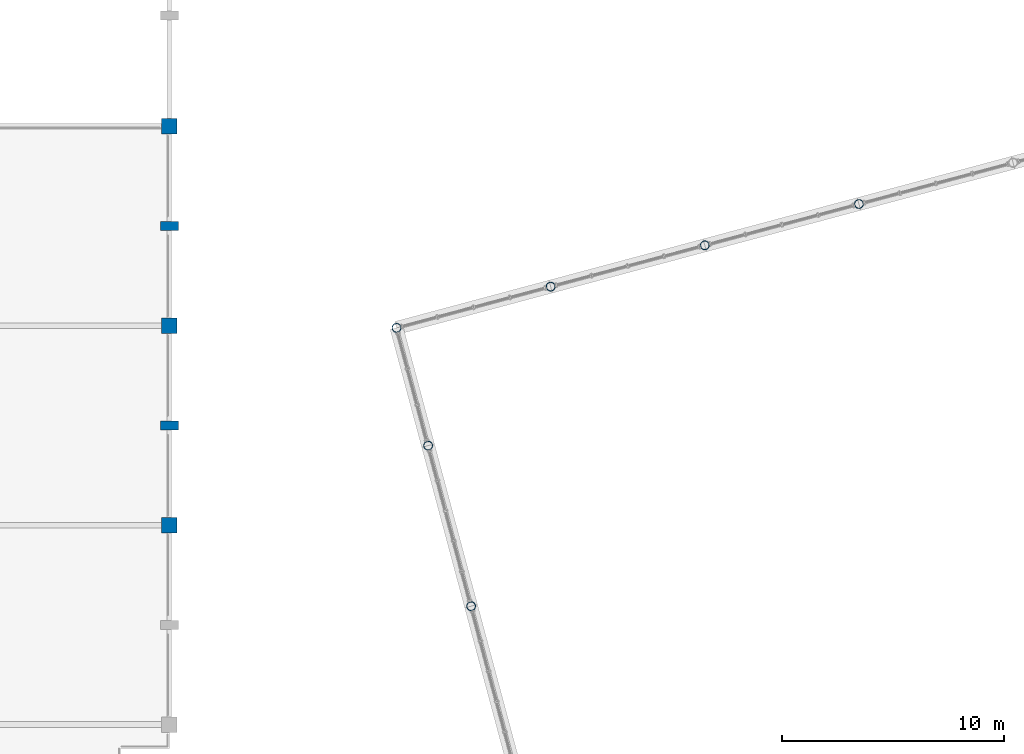
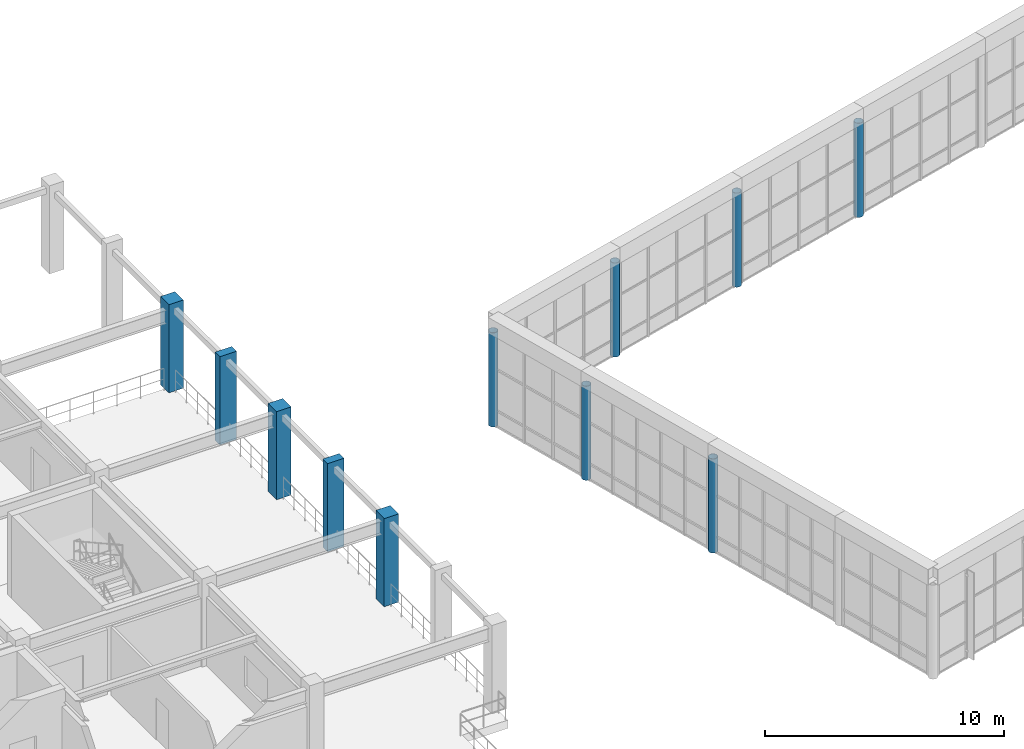
# One storey, part 4 of 55: 11 columns.
"""IFC4 building model written with IfcOpenShell, lengths in metres."""

from ifc_helpers import new_model, si_unit, direction, frame, origin, origin_2d, place, context, subcontext, project, spatial, rectangle, hollow_circle, extrude, material, material_profile, profile_set, type_object, element, save


model = new_model("IFC4")

# Units and contexts
model_context = context("Model", 3, precision=1e-05, world=origin(), true_north=direction((0.0, 1.0)))
body_context = subcontext(model_context, "Body", "Model", "MODEL_VIEW")
ifc_project = project(units=[si_unit("LENGTHUNIT", "METRE"), si_unit("AREAUNIT", "SQUARE_METRE"), si_unit("VOLUMEUNIT", "CUBIC_METRE"), si_unit("PLANEANGLEUNIT", "RADIAN"), si_unit("MASSUNIT", "GRAM", prefix="KILO")], contexts=[model_context])

# Site, building, storey
site_placement = place(None, origin())
site = spatial("IfcSite", under=ifc_project, at=site_placement, CompositionType="ELEMENT")
building_placement = place(site_placement, origin())
building = spatial("IfcBuilding", under=site, at=building_placement, Name="Ventoquebrada Cableway Terminal", CompositionType="ELEMENT")
storey_placement = place(building_placement, frame((0.0, 0.0, 14.39990234375)))
storey = spatial("IfcBuildingStorey", under=building, at=storey_placement, Name="L03", CompositionType="ELEMENT", Elevation=14.39990234375)

# Columns
ifc_material_1 = material(Name="Concrete C40/50", Category="concrete")
ifc_material_profile_1 = material_profile(ifc_material_1, rectangle(XDim=0.699951171875, YDim=0.699951171875, at=origin_2d()), Name="RC-COL-700X700")
ifc_profile_set_1 = profile_set([ifc_material_profile_1], Name="Concrete C40/50")
column_type_1 = type_object("IfcColumnType", Name="COL-RC04", PredefinedType="COLUMN", material=ifc_profile_set_1)
for number, where, z_axis, x_axis, name in (
    (1, (35.0, 86.0, 0.0), (0.0, 0.0, 1.0), (1.0, 0.0, 0.0), "Structural column FC-0310"),
    (2, (35.0, 95.0, 0.0), (0.0, 0.0, 1.0), (1.0, 0.0, 0.0), "Structural column FC-0315"),
    (3, (35.0, 104.0, 0.0), (0.0, 0.0, 1.0), (1.0, 0.0, 0.0), "Structural column FC-0320"),
):
    element("IfcColumn", number, at=place(storey_placement, frame(where, z_axis=z_axis, x_axis=x_axis)), inside=storey, type_object=column_type_1, Name=name, PredefinedType="COLUMN", context=body_context, shape_type="SweptSolid", body=[
        extrude(rectangle(XDim=0.699951171875, YDim=0.699951171875, at=origin_2d()), origin(), (0.0, 0.0, 1.0), 4.5),
    ])
ifc_material_2 = material(Name="Steel ASTM A500 Grade C", Category="steel")
ifc_material_profile_2 = material_profile(ifc_material_2, hollow_circle(Radius=0.203125, WallThickness=0.01611328125, at=origin_2d()), Name="CHS406.4X16")
ifc_profile_set_2 = profile_set([ifc_material_profile_2], Name="Steel ASTM A500 Grade C")
column_type_2 = type_object("IfcColumnType", Name="COL-ST06", PredefinedType="COLUMN", material=ifc_profile_set_2)
for number, where, z_axis, x_axis, name in (
    (4, (48.613037109375, 82.341064453125, 0.0), (0.0, 0.0, 1.0), (0.965925826289, 0.258819045103, 0.0), "Structural column FC-0666"),
    (5, (46.672119140625, 89.5859375, 0.0), (0.0, 0.0, 1.0), (0.965925826289, 0.258819045103, 0.0), "Structural column FC-0671"),
    (6, (45.2490234375, 94.89794921875, 0.0), (0.0, 0.0, 1.0), (0.965925826289, 0.258819045103, 0.0), "Structural column FC-0676"),
    (7, (52.202880859375, 96.761962890625, 0.0), (0.0, 0.0, 1.0), (0.965925826289, 0.258819045103, 0.0), "Structural column FC-0695"),
    (8, (59.157958984375, 98.625, 0.0), (0.0, 0.0, 1.0), (0.965925826289, 0.258819045103, 0.0), "Structural column FC-0714"),
    (9, (66.113037109375, 100.489013671875, 0.0), (0.0, 0.0, 1.0), (0.965925826289, 0.258819045103, 0.0), "Structural column FC-0733"),
):
    element("IfcColumn", number, at=place(storey_placement, frame(where, z_axis=z_axis, x_axis=x_axis)), inside=storey, type_object=column_type_2, Name=name, PredefinedType="COLUMN", context=body_context, shape_type="SweptSolid", body=[
        extrude(hollow_circle(Radius=0.203125, WallThickness=0.01611328125, at=origin_2d()), origin(), (0.0, 0.0, 1.0), 4.800048828125),
    ])
ifc_material_profile_3 = material_profile(ifc_material_1, rectangle(XDim=0.39990234375, YDim=0.800048828125, at=origin_2d()), Name="RC-PIL-400X800")
ifc_profile_set_3 = profile_set([ifc_material_profile_3], Name="Concrete C40/50")
column_type_3 = type_object("IfcColumnType", Name="PIL-RC01", PredefinedType="PILASTER", material=ifc_profile_set_3)
for number, where, z_axis, x_axis, name in (
    (10, (35.0, 90.5, 0.0), (0.0, 0.0, 1.0), (0.0, 1.0, 0.0), "Facade pilaster FPL-0393"),
    (11, (35.0, 99.5, 0.0), (0.0, 0.0, 1.0), (0.0, 1.0, 0.0), "Facade pilaster FPL-0398"),
):
    element("IfcColumn", number, at=place(storey_placement, frame(where, z_axis=z_axis, x_axis=x_axis)), inside=storey, type_object=column_type_3, Name=name, PredefinedType="PILASTER", context=body_context, shape_type="SweptSolid", body=[
        extrude(rectangle(XDim=0.39990234375, YDim=0.800048828125, at=origin_2d()), origin(), (0.0, 0.0, 1.0), 4.5),
    ])

save(model, "model.ifc")
